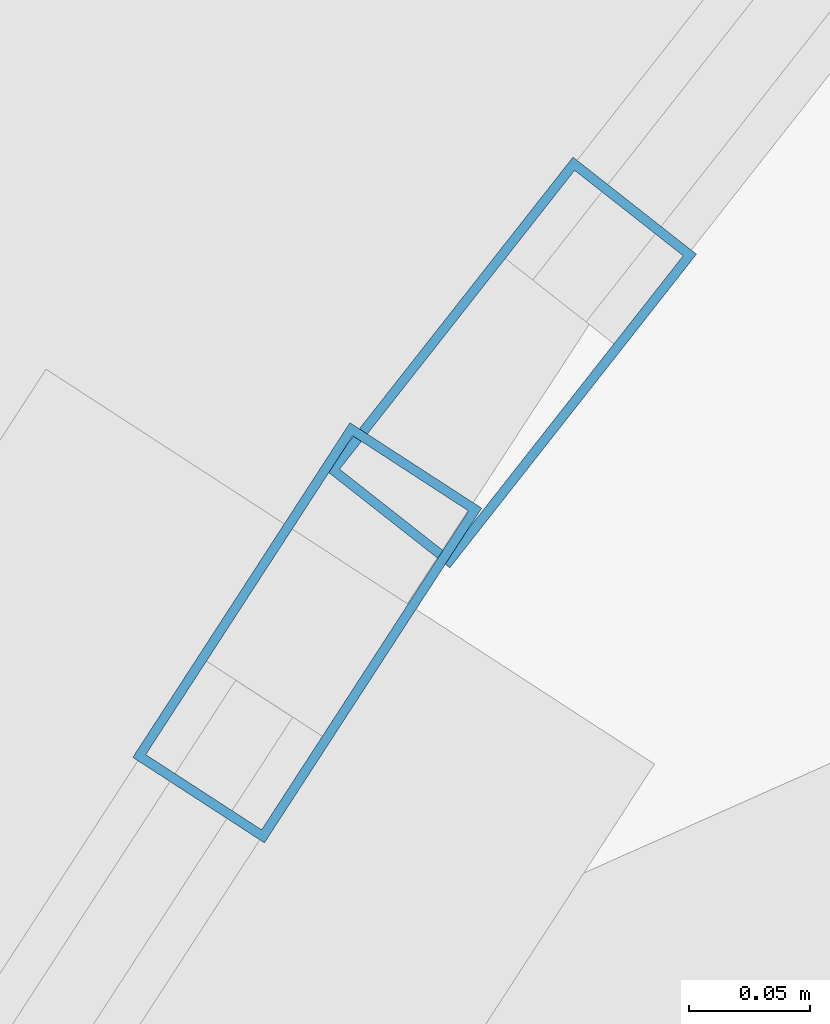
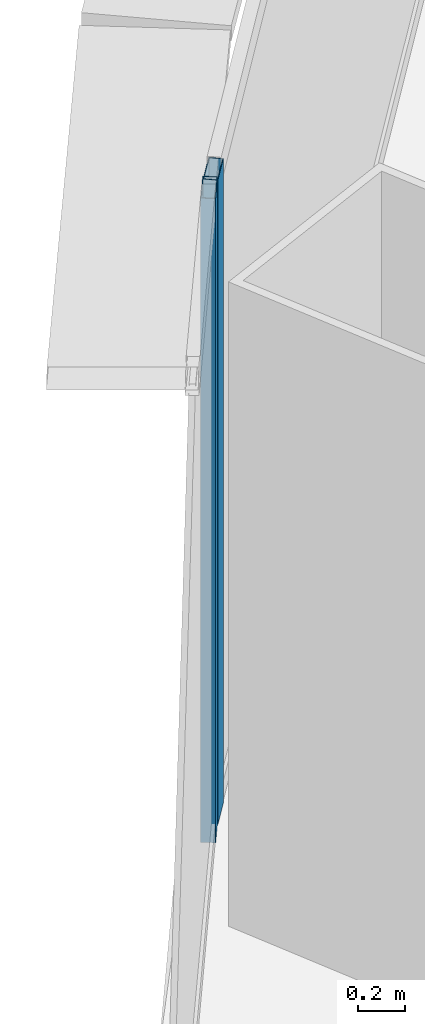
# One storey, part 18 of 40: 2 members, 2 elements without a shape of their own.
"""IFC4 building model written with IfcOpenShell, lengths in metres."""

from ifc_helpers import new_model, si_unit, direction, frame, origin, origin_2d, place, context, subcontext, project, spatial, hollow_rectangle, extrude, source, transform, mapped, material, layer, layer_set, material_profile, profile_set, type_object, element, aggregate, save


model = new_model("IFC4")

# Units and contexts
model_context = context("Model", 3, precision=1e-05, world=origin(), true_north=direction((0.0, 1.0)))
body_context = subcontext(model_context, "Body", "Model", "MODEL_VIEW")
ifc_project = project(units=[si_unit("LENGTHUNIT", "METRE"), si_unit("AREAUNIT", "SQUARE_METRE"), si_unit("VOLUMEUNIT", "CUBIC_METRE"), si_unit("PLANEANGLEUNIT", "RADIAN"), si_unit("MASSUNIT", "GRAM", prefix="KILO"), si_unit("THERMODYNAMICTEMPERATUREUNIT", "KELVIN"), si_unit("POWERUNIT", "WATT")], contexts=[model_context])

# Site, building, storey
site_placement = place(None, origin())
site = spatial("IfcSite", under=ifc_project, at=site_placement, CompositionType="ELEMENT")
building_placement = place(site_placement, origin())
building = spatial("IfcBuilding", under=site, at=building_placement, Name="Yunzhuo Pagoda Commons", CompositionType="ELEMENT")
storey_placement = place(building_placement, frame((0.0, 0.0, 66.699951171875)))
storey = spatial("IfcBuildingStorey", under=building, at=storey_placement, Name="L17", CompositionType="ELEMENT", Elevation=66.699951171875)

# Curtain wall, member
ifc_material = material(Name="Anodized aluminium 6063-T6", Category="aluminium")
ifc_layer = layer(ifc_material, 0.1650390625)
ifc_layer_set = layer_set([ifc_layer], Name="Anodized aluminium 6063-T6")
curtain_wall_type = type_object("IfcCurtainWallType", Name="CW-LOW Low-Zone Ribbon Curtain Wall", PredefinedType="NOTDEFINED", material=ifc_layer_set)
curtain_wall_1_placement = place(storey_placement, origin())
curtain_wall_1 = element("IfcCurtainWall", 1, at=curtain_wall_1_placement, inside=storey, type_object=curtain_wall_type, Name="L17 curtain wall CW-L17-F3B2", PredefinedType="NOTDEFINED")
ifc_material_profile = material_profile(ifc_material, hollow_rectangle(XDim=0.06494140625, YDim=0.1650390625, WallThickness=0.00390625, at=origin_2d()), Name="Anodized aluminium 6063-T6")
ifc_profile_set = profile_set([ifc_material_profile], Name="Anodized aluminium 6063-T6")
member_type = type_object("IfcMemberType", Name="CW-LOW-M Mullion RHS 165x65x4", PredefinedType="MULLION", material=ifc_profile_set)
shared_shape = source(origin(), body_context, "Body", "SweptSolid", [
    extrude(hollow_rectangle(XDim=0.06494140625, YDim=0.1650390625, WallThickness=0.00390625, at=origin_2d()), origin(), (0.0, 0.0, 1.0), 3.3701171875),
])
member_1_placement = place(storey_placement, frame((30.9443359375, 71.9404296875, 0.0), z_axis=(0.0, 0.0, 1.0), x_axis=(0.838840312647, -0.54437756188, 0.0)))
member_1 = element("IfcMember", 2, at=member_1_placement, type_object=member_type, Name="CW mullion 1", PredefinedType="MULLION", context=body_context, shape_type="MappedRepresentation", body=[
    mapped(shared_shape, transform((0.0, 0.0, 0.0), scale=1.0)),
])
aggregate(curtain_wall_1, [member_1])

curtain_wall_2_placement = place(storey_placement, origin())
curtain_wall_2 = element("IfcCurtainWall", 3, at=curtain_wall_2_placement, inside=storey, type_object=curtain_wall_type, Name="L17 curtain wall CW-L17-F3B1", PredefinedType="NOTDEFINED")
member_2_placement = place(storey_placement, frame((31.02880859375, 72.05224609375, 0.0), z_axis=(0.0, 0.0, 1.0), x_axis=(0.78604582322, -0.618168232602, 0.0)))
member_2 = element("IfcMember", 4, at=member_2_placement, type_object=member_type, Name="CW mullion 2", PredefinedType="MULLION", context=body_context, shape_type="MappedRepresentation", body=[
    mapped(shared_shape, transform((0.0, 0.0, 0.0), scale=1.0)),
])
aggregate(curtain_wall_2, [member_2])

save(model, "model.ifc")
